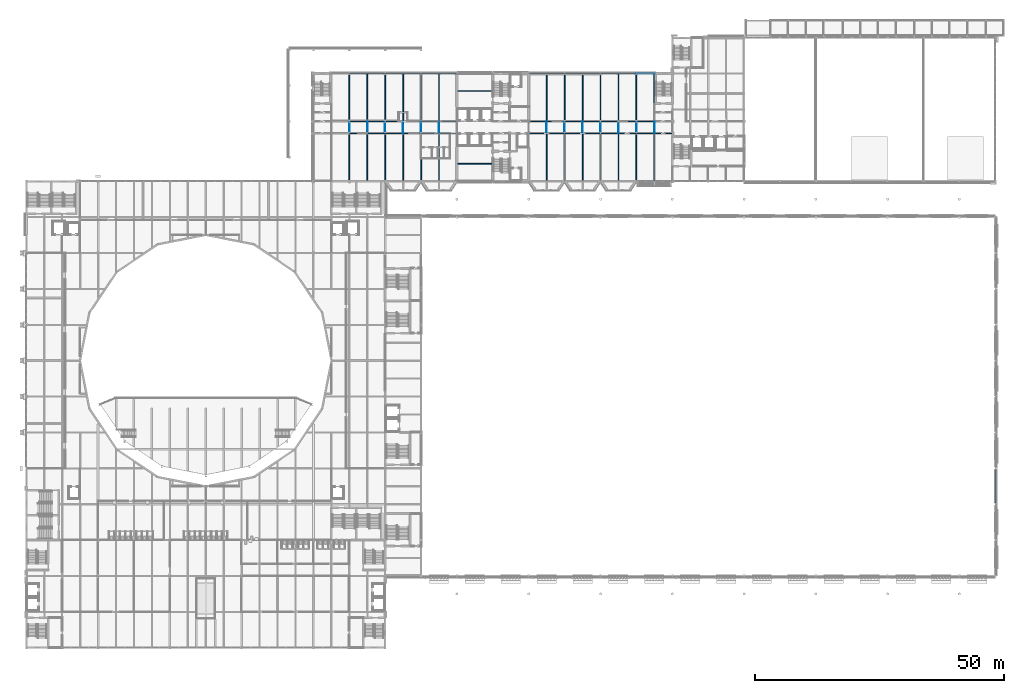
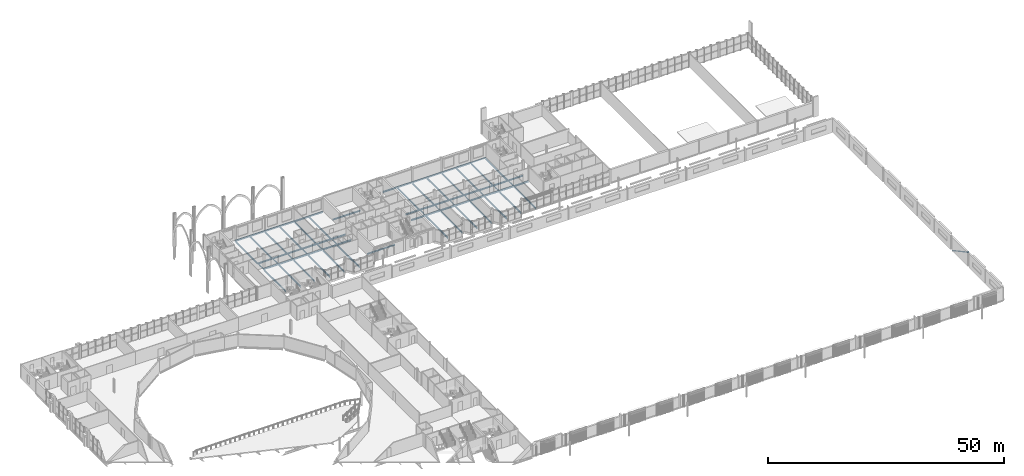
# One storey, part 48 of 124: 62 beams, 1 member.
"""IFC4 building model written with IfcOpenShell, lengths in metres."""

from ifc_helpers import new_model, si_unit, direction, frame, origin, origin_2d, place, context, subcontext, project, spatial, hollow_circle, i_section, extrude, material, material_profile, profile_set, type_object, element, save


model = new_model("IFC4")

# Units and contexts
model_context = context("Model", 3, precision=1e-05, world=origin(), true_north=direction((0.0, 1.0)))
body_context = subcontext(model_context, "Body", "Model", "MODEL_VIEW")
ifc_project = project(units=[si_unit("LENGTHUNIT", "METRE"), si_unit("AREAUNIT", "SQUARE_METRE"), si_unit("VOLUMEUNIT", "CUBIC_METRE"), si_unit("PLANEANGLEUNIT", "RADIAN"), si_unit("MASSUNIT", "GRAM", prefix="KILO")], contexts=[model_context])

# Site, building, storey
site_placement = place(None, origin())
site = spatial("IfcSite", under=ifc_project, at=site_placement, CompositionType="ELEMENT")
building_placement = place(site_placement, origin())
building = spatial("IfcBuilding", under=site, at=building_placement, Name="Kupolbacken Congress Centre", CompositionType="ELEMENT")
storey_placement = place(building_placement, frame((0.0, 0.0, 10.800048828125)))
storey = spatial("IfcBuildingStorey", under=building, at=storey_placement, Name="L03", CompositionType="ELEMENT", Elevation=10.800048828125)

# Beams
ifc_material_1 = material(Name="Steel S355", Category="steel")
ifc_material_profile_1 = material_profile(ifc_material_1, i_section(OverallWidth=0.10009765625, OverallDepth=0.199951171875, WebThickness=0.005615234375, FlangeThickness=0.008544921875, FilletRadius=0.011962890625, at=origin_2d()), Name="IPE 200")
ifc_profile_set_1 = profile_set([ifc_material_profile_1], Name="Steel S355")
beam_type_1 = type_object("IfcBeamType", Name="B01 beam IPE 200", PredefinedType="BEAM", material=ifc_profile_set_1)
beam_1_placement = place(storey_placement, frame((129.610595703125, 144.0, -0.280029296875), z_axis=(1.0, 0.0, 0.0), x_axis=(0.0, 1.0, 0.0)))
element("IfcBeam", 1, at=beam_1_placement, inside=storey, type_object=beam_type_1, Name="S/floor/T/L03/R030", PredefinedType="BEAM", context=body_context, shape_type="SweptSolid", body=[
    extrude(i_section(OverallWidth=0.10009765625, OverallDepth=0.199951171875, WebThickness=0.005615234375, FlangeThickness=0.008544921875, FilletRadius=0.011962890625, at=origin_2d()), origin(), (0.0, 0.0, 1.0), 3.639404296875),
])
beam_2_placement = place(storey_placement, frame((72.0, 132.21240234375, -0.280029296875), z_axis=(0.0, 1.0, 0.0), x_axis=(-1.0, 0.0, 0.0)))
element("IfcBeam", 2, at=beam_2_placement, inside=storey, type_object=beam_type_1, Name="S/floor/T/L03/S038", PredefinedType="BEAM", context=body_context, shape_type="SweptSolid", body=[
    extrude(i_section(OverallWidth=0.10009765625, OverallDepth=0.199951171875, WebThickness=0.005615234375, FlangeThickness=0.008544921875, FilletRadius=0.011962890625, at=origin_2d()), origin(), (0.0, 0.0, 1.0), 1.97509765625),
])
beam_3_placement = place(storey_placement, frame((75.60009765625, 132.074951171875, -0.280029296875), z_axis=(0.0, 1.0, 0.0), x_axis=(-1.0, 0.0, 0.0)))
element("IfcBeam", 3, at=beam_3_placement, inside=storey, type_object=beam_type_1, Name="S/floor/T/L03/S041", PredefinedType="BEAM", context=body_context, shape_type="SweptSolid", body=[
    extrude(i_section(OverallWidth=0.10009765625, OverallDepth=0.199951171875, WebThickness=0.005615234375, FlangeThickness=0.008544921875, FilletRadius=0.011962890625, at=origin_2d()), origin(), (0.0, 0.0, 1.0), 2.25),
])
beam_4_placement = place(storey_placement, frame((79.199951171875, 132.21240234375, -0.280029296875), z_axis=(0.0, 1.0, 0.0), x_axis=(-1.0, 0.0, 0.0)))
element("IfcBeam", 4, at=beam_4_placement, inside=storey, type_object=beam_type_1, Name="S/floor/T/L03/S044", PredefinedType="BEAM", context=body_context, shape_type="SweptSolid", body=[
    extrude(i_section(OverallWidth=0.10009765625, OverallDepth=0.199951171875, WebThickness=0.005615234375, FlangeThickness=0.008544921875, FilletRadius=0.011962890625, at=origin_2d()), origin(), (0.0, 0.0, 1.0), 1.97509765625),
])
beam_5_placement = place(storey_placement, frame((82.800048828125, 132.074951171875, -0.280029296875), z_axis=(0.0, 1.0, 0.0), x_axis=(-1.0, 0.0, 0.0)))
element("IfcBeam", 5, at=beam_5_placement, inside=storey, type_object=beam_type_1, Name="S/floor/T/L03/S047", PredefinedType="BEAM", context=body_context, shape_type="SweptSolid", body=[
    extrude(i_section(OverallWidth=0.10009765625, OverallDepth=0.199951171875, WebThickness=0.005615234375, FlangeThickness=0.008544921875, FilletRadius=0.011962890625, at=origin_2d()), origin(), (0.0, 0.0, 1.0), 2.25),
])
beam_6_placement = place(storey_placement, frame((86.39990234375, 132.21240234375, -0.280029296875), z_axis=(0.0, 1.0, 0.0), x_axis=(-1.0, 0.0, 0.0)))
element("IfcBeam", 6, at=beam_6_placement, inside=storey, type_object=beam_type_1, Name="S/floor/T/L03/S050", PredefinedType="BEAM", context=body_context, shape_type="SweptSolid", body=[
    extrude(i_section(OverallWidth=0.10009765625, OverallDepth=0.199951171875, WebThickness=0.005615234375, FlangeThickness=0.008544921875, FilletRadius=0.011962890625, at=origin_2d()), origin(), (0.0, 0.0, 1.0), 1.97509765625),
])
for number, where, z_axis, x_axis, name in (
    (7, (90.0, 132.074951171875, -0.280029296875), (0.0, 1.0, 0.0), (-1.0, 0.0, 0.0), "S/floor/T/L03/S053"),
    (8, (111.60009765625, 132.074951171875, -0.280029296875), (0.0, 1.0, 0.0), (-1.0, 0.0, 0.0), "S/floor/T/L03/S056"),
):
    element("IfcBeam", number, at=place(storey_placement, frame(where, z_axis=z_axis, x_axis=x_axis)), inside=storey, type_object=beam_type_1, Name=name, PredefinedType="BEAM", context=body_context, shape_type="SweptSolid", body=[
        extrude(i_section(OverallWidth=0.10009765625, OverallDepth=0.199951171875, WebThickness=0.005615234375, FlangeThickness=0.008544921875, FilletRadius=0.011962890625, at=origin_2d()), origin(), (0.0, 0.0, 1.0), 2.25),
    ])
beam_7_placement = place(storey_placement, frame((115.199951171875, 132.21240234375, -0.280029296875), z_axis=(0.0, 1.0, 0.0), x_axis=(-1.0, 0.0, 0.0)))
element("IfcBeam", 9, at=beam_7_placement, inside=storey, type_object=beam_type_1, Name="S/floor/T/L03/S059", PredefinedType="BEAM", context=body_context, shape_type="SweptSolid", body=[
    extrude(i_section(OverallWidth=0.10009765625, OverallDepth=0.199951171875, WebThickness=0.005615234375, FlangeThickness=0.008544921875, FilletRadius=0.011962890625, at=origin_2d()), origin(), (0.0, 0.0, 1.0), 1.97509765625),
])
beam_8_placement = place(storey_placement, frame((118.800048828125, 132.074951171875, -0.280029296875), z_axis=(0.0, 1.0, 0.0), x_axis=(-1.0, 0.0, 0.0)))
element("IfcBeam", 10, at=beam_8_placement, inside=storey, type_object=beam_type_1, Name="S/floor/T/L03/S062", PredefinedType="BEAM", context=body_context, shape_type="SweptSolid", body=[
    extrude(i_section(OverallWidth=0.10009765625, OverallDepth=0.199951171875, WebThickness=0.005615234375, FlangeThickness=0.008544921875, FilletRadius=0.011962890625, at=origin_2d()), origin(), (0.0, 0.0, 1.0), 2.25),
])
beam_9_placement = place(storey_placement, frame((122.39990234375, 132.21240234375, -0.280029296875), z_axis=(0.0, 1.0, 0.0), x_axis=(-1.0, 0.0, 0.0)))
element("IfcBeam", 11, at=beam_9_placement, inside=storey, type_object=beam_type_1, Name="S/floor/T/L03/S065", PredefinedType="BEAM", context=body_context, shape_type="SweptSolid", body=[
    extrude(i_section(OverallWidth=0.10009765625, OverallDepth=0.199951171875, WebThickness=0.005615234375, FlangeThickness=0.008544921875, FilletRadius=0.011962890625, at=origin_2d()), origin(), (0.0, 0.0, 1.0), 1.97509765625),
])
beam_10_placement = place(storey_placement, frame((126.0, 132.074951171875, -0.280029296875), z_axis=(0.0, 1.0, 0.0), x_axis=(-1.0, 0.0, 0.0)))
element("IfcBeam", 12, at=beam_10_placement, inside=storey, type_object=beam_type_1, Name="S/floor/T/L03/S068", PredefinedType="BEAM", context=body_context, shape_type="SweptSolid", body=[
    extrude(i_section(OverallWidth=0.10009765625, OverallDepth=0.199951171875, WebThickness=0.005615234375, FlangeThickness=0.008544921875, FilletRadius=0.011962890625, at=origin_2d()), origin(), (0.0, 0.0, 1.0), 2.25),
])
beam_11_placement = place(storey_placement, frame((129.60009765625, 132.21240234375, -0.280029296875), z_axis=(0.0, 1.0, 0.0), x_axis=(-1.0, 0.0, 0.0)))
element("IfcBeam", 13, at=beam_11_placement, inside=storey, type_object=beam_type_1, Name="S/floor/T/L03/S071", PredefinedType="BEAM", context=body_context, shape_type="SweptSolid", body=[
    extrude(i_section(OverallWidth=0.10009765625, OverallDepth=0.199951171875, WebThickness=0.005615234375, FlangeThickness=0.008544921875, FilletRadius=0.011962890625, at=origin_2d()), origin(), (0.0, 0.0, 1.0), 1.97509765625),
])
beam_12_placement = place(storey_placement, frame((133.199951171875, 132.074951171875, -0.280029296875), z_axis=(0.0, 1.0, 0.0), x_axis=(-1.0, 0.0, 0.0)))
element("IfcBeam", 14, at=beam_12_placement, inside=storey, type_object=beam_type_1, Name="S/floor/T/L03/S074", PredefinedType="BEAM", context=body_context, shape_type="SweptSolid", body=[
    extrude(i_section(OverallWidth=0.10009765625, OverallDepth=0.199951171875, WebThickness=0.005615234375, FlangeThickness=0.008544921875, FilletRadius=0.011962890625, at=origin_2d()), origin(), (0.0, 0.0, 1.0), 2.25),
])
ifc_material_2 = material(Name="Steel S355", Category="steel")
ifc_material_profile_2 = material_profile(ifc_material_2, i_section(OverallWidth=0.14990234375, OverallDepth=0.300048828125, WebThickness=0.007080078125, FlangeThickness=0.0107421875, FilletRadius=0.014892578125, at=origin_2d()), Name="IPE 300")
ifc_profile_set_2 = profile_set([ifc_material_profile_2], Name="Steel S355")
beam_type_2 = type_object("IfcBeamType", Name="B04 beam IPE 300", PredefinedType="BEAM", material=ifc_profile_set_2)
for number, where, z_axis, x_axis, name in (
    (15, (72.016357421875, 132.0, -0.330078125), (1.0, 0.0, 0.0), (0.0, 1.0, 0.0), "S/floor/T/L03/R008"),
    (16, (79.21630859375, 132.0, -0.330078125), (1.0, 0.0, 0.0), (0.0, 1.0, 0.0), "S/floor/T/L03/R009"),
):
    element("IfcBeam", number, at=place(storey_placement, frame(where, z_axis=z_axis, x_axis=x_axis)), inside=storey, type_object=beam_type_2, Name=name, PredefinedType="BEAM", context=body_context, shape_type="SweptSolid", body=[
        extrude(i_section(OverallWidth=0.14990234375, OverallDepth=0.300048828125, WebThickness=0.007080078125, FlangeThickness=0.0107421875, FilletRadius=0.014892578125, at=origin_2d()), origin(), (0.0, 0.0, 1.0), 7.167236328125),
    ])
beam_13_placement = place(storey_placement, frame((86.41650390625, 132.0, -0.330078125), z_axis=(1.0, 0.0, 0.0), x_axis=(0.0, 1.0, 0.0)))
element("IfcBeam", 17, at=beam_13_placement, inside=storey, type_object=beam_type_2, Name="S/floor/T/L03/R010", PredefinedType="BEAM", context=body_context, shape_type="SweptSolid", body=[
    extrude(i_section(OverallWidth=0.14990234375, OverallDepth=0.300048828125, WebThickness=0.007080078125, FlangeThickness=0.0107421875, FilletRadius=0.014892578125, at=origin_2d()), origin(), (0.0, 0.0, 1.0), 6.9833984375),
])
beam_14_placement = place(storey_placement, frame((108.199951171875, 132.0, -0.330078125), z_axis=(1.0, 0.0, 0.0), x_axis=(0.0, 1.0, 0.0)))
element("IfcBeam", 18, at=beam_14_placement, inside=storey, type_object=beam_type_2, Name="S/floor/T/L03/R011", PredefinedType="BEAM", context=body_context, shape_type="SweptSolid", body=[
    extrude(i_section(OverallWidth=0.14990234375, OverallDepth=0.300048828125, WebThickness=0.007080078125, FlangeThickness=0.0107421875, FilletRadius=0.014892578125, at=origin_2d()), origin(), (0.0, 0.0, 1.0), 6.983642578125),
])
beam_15_placement = place(storey_placement, frame((115.21630859375, 132.0, -0.330078125), z_axis=(1.0, 0.0, 0.0), x_axis=(0.0, 1.0, 0.0)))
element("IfcBeam", 19, at=beam_15_placement, inside=storey, type_object=beam_type_2, Name="S/floor/T/L03/R012", PredefinedType="BEAM", context=body_context, shape_type="SweptSolid", body=[
    extrude(i_section(OverallWidth=0.14990234375, OverallDepth=0.300048828125, WebThickness=0.007080078125, FlangeThickness=0.0107421875, FilletRadius=0.014892578125, at=origin_2d()), origin(), (0.0, 0.0, 1.0), 7.167236328125),
])
beam_16_placement = place(storey_placement, frame((122.41650390625, 132.0, -0.330078125), z_axis=(1.0, 0.0, 0.0), x_axis=(0.0, 1.0, 0.0)))
element("IfcBeam", 20, at=beam_16_placement, inside=storey, type_object=beam_type_2, Name="S/floor/T/L03/R013", PredefinedType="BEAM", context=body_context, shape_type="SweptSolid", body=[
    extrude(i_section(OverallWidth=0.14990234375, OverallDepth=0.300048828125, WebThickness=0.007080078125, FlangeThickness=0.0107421875, FilletRadius=0.014892578125, at=origin_2d()), origin(), (0.0, 0.0, 1.0), 7.1669921875),
])
beam_17_placement = place(storey_placement, frame((129.616455078125, 132.0, -0.330078125), z_axis=(1.0, 0.0, 0.0), x_axis=(0.0, 1.0, 0.0)))
element("IfcBeam", 21, at=beam_17_placement, inside=storey, type_object=beam_type_2, Name="S/floor/T/L03/R014", PredefinedType="BEAM", context=body_context, shape_type="SweptSolid", body=[
    extrude(i_section(OverallWidth=0.14990234375, OverallDepth=0.300048828125, WebThickness=0.007080078125, FlangeThickness=0.0107421875, FilletRadius=0.014892578125, at=origin_2d()), origin(), (0.0, 0.0, 1.0), 7.176513671875),
])
for number, where, z_axis, x_axis, name in (
    (22, (72.016357421875, 134.39990234375, -0.330078125), (1.0, 0.0, 0.0), (0.0, 1.0, 0.0), "S/floor/T/L03/R016"),
    (23, (79.21630859375, 134.39990234375, -0.330078125), (1.0, 0.0, 0.0), (0.0, 1.0, 0.0), "S/floor/T/L03/R017"),
):
    element("IfcBeam", number, at=place(storey_placement, frame(where, z_axis=z_axis, x_axis=x_axis)), inside=storey, type_object=beam_type_2, Name=name, PredefinedType="BEAM", context=body_context, shape_type="SweptSolid", body=[
        extrude(i_section(OverallWidth=0.14990234375, OverallDepth=0.300048828125, WebThickness=0.007080078125, FlangeThickness=0.0107421875, FilletRadius=0.014892578125, at=origin_2d()), origin(), (0.0, 0.0, 1.0), 7.167236328125),
    ])
beam_18_placement = place(storey_placement, frame((86.41650390625, 134.39990234375, -0.330078125), z_axis=(1.0, 0.0, 0.0), x_axis=(0.0, 1.0, 0.0)))
element("IfcBeam", 24, at=beam_18_placement, inside=storey, type_object=beam_type_2, Name="S/floor/T/L03/R018", PredefinedType="BEAM", context=body_context, shape_type="SweptSolid", body=[
    extrude(i_section(OverallWidth=0.14990234375, OverallDepth=0.300048828125, WebThickness=0.007080078125, FlangeThickness=0.0107421875, FilletRadius=0.014892578125, at=origin_2d()), origin(), (0.0, 0.0, 1.0), 6.9833984375),
])
beam_19_placement = place(storey_placement, frame((108.199951171875, 134.39990234375, -0.330078125), z_axis=(1.0, 0.0, 0.0), x_axis=(0.0, 1.0, 0.0)))
element("IfcBeam", 25, at=beam_19_placement, inside=storey, type_object=beam_type_2, Name="S/floor/T/L03/R019", PredefinedType="BEAM", context=body_context, shape_type="SweptSolid", body=[
    extrude(i_section(OverallWidth=0.14990234375, OverallDepth=0.300048828125, WebThickness=0.007080078125, FlangeThickness=0.0107421875, FilletRadius=0.014892578125, at=origin_2d()), origin(), (0.0, 0.0, 1.0), 6.983642578125),
])
beam_20_placement = place(storey_placement, frame((115.21630859375, 134.39990234375, -0.330078125), z_axis=(1.0, 0.0, 0.0), x_axis=(0.0, 1.0, 0.0)))
element("IfcBeam", 26, at=beam_20_placement, inside=storey, type_object=beam_type_2, Name="S/floor/T/L03/R020", PredefinedType="BEAM", context=body_context, shape_type="SweptSolid", body=[
    extrude(i_section(OverallWidth=0.14990234375, OverallDepth=0.300048828125, WebThickness=0.007080078125, FlangeThickness=0.0107421875, FilletRadius=0.014892578125, at=origin_2d()), origin(), (0.0, 0.0, 1.0), 7.167236328125),
])
beam_21_placement = place(storey_placement, frame((122.41650390625, 134.39990234375, -0.330078125), z_axis=(1.0, 0.0, 0.0), x_axis=(0.0, 1.0, 0.0)))
element("IfcBeam", 27, at=beam_21_placement, inside=storey, type_object=beam_type_2, Name="S/floor/T/L03/R021", PredefinedType="BEAM", context=body_context, shape_type="SweptSolid", body=[
    extrude(i_section(OverallWidth=0.14990234375, OverallDepth=0.300048828125, WebThickness=0.007080078125, FlangeThickness=0.0107421875, FilletRadius=0.014892578125, at=origin_2d()), origin(), (0.0, 0.0, 1.0), 7.1669921875),
])
beam_22_placement = place(storey_placement, frame((129.616455078125, 134.39990234375, -0.330078125), z_axis=(1.0, 0.0, 0.0), x_axis=(0.0, 1.0, 0.0)))
element("IfcBeam", 28, at=beam_22_placement, inside=storey, type_object=beam_type_2, Name="S/floor/T/L03/R022", PredefinedType="BEAM", context=body_context, shape_type="SweptSolid", body=[
    extrude(i_section(OverallWidth=0.14990234375, OverallDepth=0.300048828125, WebThickness=0.007080078125, FlangeThickness=0.0107421875, FilletRadius=0.014892578125, at=origin_2d()), origin(), (0.0, 0.0, 1.0), 7.176513671875),
])
for number, where, z_axis, x_axis, name in (
    (29, (72.010498046875, 144.0, -0.330078125), (1.0, 0.0, 0.0), (0.0, 1.0, 0.0), "S/floor/T/L03/R024"),
    (30, (79.21044921875, 144.0, -0.330078125), (1.0, 0.0, 0.0), (0.0, 1.0, 0.0), "S/floor/T/L03/R025"),
):
    element("IfcBeam", number, at=place(storey_placement, frame(where, z_axis=z_axis, x_axis=x_axis)), inside=storey, type_object=beam_type_2, Name=name, PredefinedType="BEAM", context=body_context, shape_type="SweptSolid", body=[
        extrude(i_section(OverallWidth=0.14990234375, OverallDepth=0.300048828125, WebThickness=0.007080078125, FlangeThickness=0.0107421875, FilletRadius=0.014892578125, at=origin_2d()), origin(), (0.0, 0.0, 1.0), 7.178955078125),
    ])
for number, where, z_axis, x_axis, name in (
    (31, (86.410400390625, 144.0, -0.330078125), (1.0, 0.0, 0.0), (0.0, 1.0, 0.0), "S/floor/T/L03/R026"),
    (32, (108.199951171875, 144.0, -0.330078125), (1.0, 0.0, 0.0), (0.0, 1.0, 0.0), "S/floor/T/L03/R027"),
):
    element("IfcBeam", number, at=place(storey_placement, frame(where, z_axis=z_axis, x_axis=x_axis)), inside=storey, type_object=beam_type_2, Name=name, PredefinedType="BEAM", context=body_context, shape_type="SweptSolid", body=[
        extrude(i_section(OverallWidth=0.14990234375, OverallDepth=0.300048828125, WebThickness=0.007080078125, FlangeThickness=0.0107421875, FilletRadius=0.014892578125, at=origin_2d()), origin(), (0.0, 0.0, 1.0), 6.989501953125),
    ])
beam_23_placement = place(storey_placement, frame((115.21044921875, 144.0, -0.330078125), z_axis=(1.0, 0.0, 0.0), x_axis=(0.0, 1.0, 0.0)))
element("IfcBeam", 33, at=beam_23_placement, inside=storey, type_object=beam_type_2, Name="S/floor/T/L03/R028", PredefinedType="BEAM", context=body_context, shape_type="SweptSolid", body=[
    extrude(i_section(OverallWidth=0.14990234375, OverallDepth=0.300048828125, WebThickness=0.007080078125, FlangeThickness=0.0107421875, FilletRadius=0.014892578125, at=origin_2d()), origin(), (0.0, 0.0, 1.0), 7.178955078125),
])
beam_24_placement = place(storey_placement, frame((122.410400390625, 144.0, -0.330078125), z_axis=(1.0, 0.0, 0.0), x_axis=(0.0, 1.0, 0.0)))
element("IfcBeam", 34, at=beam_24_placement, inside=storey, type_object=beam_type_2, Name="S/floor/T/L03/R029", PredefinedType="BEAM", context=body_context, shape_type="SweptSolid", body=[
    extrude(i_section(OverallWidth=0.14990234375, OverallDepth=0.300048828125, WebThickness=0.007080078125, FlangeThickness=0.0107421875, FilletRadius=0.014892578125, at=origin_2d()), origin(), (0.0, 0.0, 1.0), 7.17919921875),
])
ifc_material_3 = material(Name="Steel S355", Category="steel")
ifc_material_profile_3 = material_profile(ifc_material_3, i_section(OverallWidth=0.169921875, OverallDepth=0.360107421875, WebThickness=0.008056640625, FlangeThickness=0.0126953125, FilletRadius=0.01806640625, at=origin_2d()), Name="IPE 360")
ifc_profile_set_3 = profile_set([ifc_material_profile_3], Name="Steel S355")
beam_type_3 = type_object("IfcBeamType", Name="B06 beam IPE 360", PredefinedType="BEAM", material=ifc_profile_set_3)
for number, where, z_axis, x_axis, name in (
    (35, (93.800048828125, 125.89990234375, -0.360107421875), (1.0, 0.0, 0.0), (0.0, 1.0, 0.0), "S/floor/T/L03/RB125"),
    (36, (93.800048828125, 140.5, -0.360107421875), (1.0, 0.0, 0.0), (0.0, 1.0, 0.0), "S/floor/T/L03/RB140"),
):
    element("IfcBeam", number, at=place(storey_placement, frame(where, z_axis=z_axis, x_axis=x_axis)), inside=storey, type_object=beam_type_3, Name=name, PredefinedType="BEAM", context=body_context, shape_type="SweptSolid", body=[
        extrude(i_section(OverallWidth=0.169921875, OverallDepth=0.360107421875, WebThickness=0.008056640625, FlangeThickness=0.0126953125, FilletRadius=0.01806640625, at=origin_2d()), origin(), (0.0, 0.0, 1.0), 6.824951171875),
    ])
ifc_material_4 = material(Name="Steel S355", Category="steel")
ifc_material_profile_4 = material_profile(ifc_material_4, i_section(OverallWidth=0.179931640625, OverallDepth=0.39990234375, WebThickness=0.008544921875, FlangeThickness=0.013427734375, FilletRadius=0.02099609375, at=origin_2d()), Name="IPE 400")
ifc_profile_set_4 = profile_set([ifc_material_profile_4], Name="Steel S355")
beam_type_4 = type_object("IfcBeamType", Name="B07 beam IPE 400", PredefinedType="BEAM", material=ifc_profile_set_4)
beam_25_placement = place(storey_placement, frame((72.0, 122.52490234375, -0.380126953125), z_axis=(0.0, 1.0, 0.0), x_axis=(-1.0, 0.0, 0.0)))
element("IfcBeam", 37, at=beam_25_placement, inside=storey, type_object=beam_type_4, Name="S/floor/T/L03/S037", PredefinedType="BEAM", context=body_context, shape_type="SweptSolid", body=[
    extrude(i_section(OverallWidth=0.179931640625, OverallDepth=0.39990234375, WebThickness=0.008544921875, FlangeThickness=0.013427734375, FilletRadius=0.02099609375, at=origin_2d()), origin(), (0.0, 0.0, 1.0), 9.2626953125),
])
beam_26_placement = place(storey_placement, frame((72.0, 134.612548828125, -0.380126953125), z_axis=(0.0, 1.0, 0.0), x_axis=(-1.0, 0.0, 0.0)))
element("IfcBeam", 38, at=beam_26_placement, inside=storey, type_object=beam_type_4, Name="S/floor/T/L03/S039", PredefinedType="BEAM", context=body_context, shape_type="SweptSolid", body=[
    extrude(i_section(OverallWidth=0.179931640625, OverallDepth=0.39990234375, WebThickness=0.008544921875, FlangeThickness=0.013427734375, FilletRadius=0.02099609375, at=origin_2d()), origin(), (0.0, 0.0, 1.0), 9.17138671875),
])
beam_27_placement = place(storey_placement, frame((75.60009765625, 122.52490234375, -0.380126953125), z_axis=(0.0, 1.0, 0.0), x_axis=(-1.0, 0.0, 0.0)))
element("IfcBeam", 39, at=beam_27_placement, inside=storey, type_object=beam_type_4, Name="S/floor/T/L03/S040", PredefinedType="BEAM", context=body_context, shape_type="SweptSolid", body=[
    extrude(i_section(OverallWidth=0.179931640625, OverallDepth=0.39990234375, WebThickness=0.008544921875, FlangeThickness=0.013427734375, FilletRadius=0.02099609375, at=origin_2d()), origin(), (0.0, 0.0, 1.0), 9.400146484375),
])
beam_28_placement = place(storey_placement, frame((75.60009765625, 134.47509765625, -0.380126953125), z_axis=(0.0, 1.0, 0.0), x_axis=(-1.0, 0.0, 0.0)))
element("IfcBeam", 40, at=beam_28_placement, inside=storey, type_object=beam_type_4, Name="S/floor/T/L03/S042", PredefinedType="BEAM", context=body_context, shape_type="SweptSolid", body=[
    extrude(i_section(OverallWidth=0.179931640625, OverallDepth=0.39990234375, WebThickness=0.008544921875, FlangeThickness=0.013427734375, FilletRadius=0.02099609375, at=origin_2d()), origin(), (0.0, 0.0, 1.0), 9.449951171875),
])
beam_29_placement = place(storey_placement, frame((79.199951171875, 122.615966796875, -0.380126953125), z_axis=(0.0, 1.0, 0.0), x_axis=(-1.0, 0.0, 0.0)))
element("IfcBeam", 41, at=beam_29_placement, inside=storey, type_object=beam_type_4, Name="S/floor/T/L03/S043", PredefinedType="BEAM", context=body_context, shape_type="SweptSolid", body=[
    extrude(i_section(OverallWidth=0.179931640625, OverallDepth=0.39990234375, WebThickness=0.008544921875, FlangeThickness=0.013427734375, FilletRadius=0.02099609375, at=origin_2d()), origin(), (0.0, 0.0, 1.0), 9.171630859375),
])
beam_30_placement = place(storey_placement, frame((79.199951171875, 134.612548828125, -0.380126953125), z_axis=(0.0, 1.0, 0.0), x_axis=(-1.0, 0.0, 0.0)))
element("IfcBeam", 42, at=beam_30_placement, inside=storey, type_object=beam_type_4, Name="S/floor/T/L03/S045", PredefinedType="BEAM", context=body_context, shape_type="SweptSolid", body=[
    extrude(i_section(OverallWidth=0.179931640625, OverallDepth=0.39990234375, WebThickness=0.008544921875, FlangeThickness=0.013427734375, FilletRadius=0.02099609375, at=origin_2d()), origin(), (0.0, 0.0, 1.0), 9.17138671875),
])
for number, where, z_axis, x_axis, name in (
    (43, (82.800048828125, 122.47509765625, -0.380126953125), (0.0, 1.0, 0.0), (-1.0, 0.0, 0.0), "S/floor/T/L03/S046"),
    (44, (82.800048828125, 134.47509765625, -0.380126953125), (0.0, 1.0, 0.0), (-1.0, 0.0, 0.0), "S/floor/T/L03/S048"),
):
    element("IfcBeam", number, at=place(storey_placement, frame(where, z_axis=z_axis, x_axis=x_axis)), inside=storey, type_object=beam_type_4, Name=name, PredefinedType="BEAM", context=body_context, shape_type="SweptSolid", body=[
        extrude(i_section(OverallWidth=0.179931640625, OverallDepth=0.39990234375, WebThickness=0.008544921875, FlangeThickness=0.013427734375, FilletRadius=0.02099609375, at=origin_2d()), origin(), (0.0, 0.0, 1.0), 9.449951171875),
    ])
beam_31_placement = place(storey_placement, frame((86.39990234375, 122.615966796875, -0.380126953125), z_axis=(0.0, 1.0, 0.0), x_axis=(-1.0, 0.0, 0.0)))
element("IfcBeam", 45, at=beam_31_placement, inside=storey, type_object=beam_type_4, Name="S/floor/T/L03/S049", PredefinedType="BEAM", context=body_context, shape_type="SweptSolid", body=[
    extrude(i_section(OverallWidth=0.179931640625, OverallDepth=0.39990234375, WebThickness=0.008544921875, FlangeThickness=0.013427734375, FilletRadius=0.02099609375, at=origin_2d()), origin(), (0.0, 0.0, 1.0), 9.171630859375),
])
beam_32_placement = place(storey_placement, frame((86.39990234375, 134.612548828125, -0.380126953125), z_axis=(0.0, 1.0, 0.0), x_axis=(-1.0, 0.0, 0.0)))
element("IfcBeam", 46, at=beam_32_placement, inside=storey, type_object=beam_type_4, Name="S/floor/T/L03/S051", PredefinedType="BEAM", context=body_context, shape_type="SweptSolid", body=[
    extrude(i_section(OverallWidth=0.179931640625, OverallDepth=0.39990234375, WebThickness=0.008544921875, FlangeThickness=0.013427734375, FilletRadius=0.02099609375, at=origin_2d()), origin(), (0.0, 0.0, 1.0), 9.17138671875),
])
for number, where, z_axis, x_axis, name in (
    (47, (90.0, 122.47509765625, -0.380126953125), (0.0, 1.0, 0.0), (-1.0, 0.0, 0.0), "S/floor/T/L03/S052"),
    (48, (90.0, 134.47509765625, -0.380126953125), (0.0, 1.0, 0.0), (-1.0, 0.0, 0.0), "S/floor/T/L03/S054"),
    (49, (111.60009765625, 122.47509765625, -0.380126953125), (0.0, 1.0, 0.0), (-1.0, 0.0, 0.0), "S/floor/T/L03/S055"),
    (50, (111.60009765625, 134.47509765625, -0.380126953125), (0.0, 1.0, 0.0), (-1.0, 0.0, 0.0), "S/floor/T/L03/S057"),
):
    element("IfcBeam", number, at=place(storey_placement, frame(where, z_axis=z_axis, x_axis=x_axis)), inside=storey, type_object=beam_type_4, Name=name, PredefinedType="BEAM", context=body_context, shape_type="SweptSolid", body=[
        extrude(i_section(OverallWidth=0.179931640625, OverallDepth=0.39990234375, WebThickness=0.008544921875, FlangeThickness=0.013427734375, FilletRadius=0.02099609375, at=origin_2d()), origin(), (0.0, 0.0, 1.0), 9.449951171875),
    ])
beam_33_placement = place(storey_placement, frame((115.199951171875, 122.615966796875, -0.380126953125), z_axis=(0.0, 1.0, 0.0), x_axis=(-1.0, 0.0, 0.0)))
element("IfcBeam", 51, at=beam_33_placement, inside=storey, type_object=beam_type_4, Name="S/floor/T/L03/S058", PredefinedType="BEAM", context=body_context, shape_type="SweptSolid", body=[
    extrude(i_section(OverallWidth=0.179931640625, OverallDepth=0.39990234375, WebThickness=0.008544921875, FlangeThickness=0.013427734375, FilletRadius=0.02099609375, at=origin_2d()), origin(), (0.0, 0.0, 1.0), 9.171630859375),
])
beam_34_placement = place(storey_placement, frame((115.199951171875, 134.612548828125, -0.380126953125), z_axis=(0.0, 1.0, 0.0), x_axis=(-1.0, 0.0, 0.0)))
element("IfcBeam", 52, at=beam_34_placement, inside=storey, type_object=beam_type_4, Name="S/floor/T/L03/S060", PredefinedType="BEAM", context=body_context, shape_type="SweptSolid", body=[
    extrude(i_section(OverallWidth=0.179931640625, OverallDepth=0.39990234375, WebThickness=0.008544921875, FlangeThickness=0.013427734375, FilletRadius=0.02099609375, at=origin_2d()), origin(), (0.0, 0.0, 1.0), 9.17138671875),
])
for number, where, z_axis, x_axis, name in (
    (53, (118.800048828125, 122.47509765625, -0.380126953125), (0.0, 1.0, 0.0), (-1.0, 0.0, 0.0), "S/floor/T/L03/S061"),
    (54, (118.800048828125, 134.47509765625, -0.380126953125), (0.0, 1.0, 0.0), (-1.0, 0.0, 0.0), "S/floor/T/L03/S063"),
):
    element("IfcBeam", number, at=place(storey_placement, frame(where, z_axis=z_axis, x_axis=x_axis)), inside=storey, type_object=beam_type_4, Name=name, PredefinedType="BEAM", context=body_context, shape_type="SweptSolid", body=[
        extrude(i_section(OverallWidth=0.179931640625, OverallDepth=0.39990234375, WebThickness=0.008544921875, FlangeThickness=0.013427734375, FilletRadius=0.02099609375, at=origin_2d()), origin(), (0.0, 0.0, 1.0), 9.449951171875),
    ])
beam_35_placement = place(storey_placement, frame((122.39990234375, 122.615966796875, -0.380126953125), z_axis=(0.0, 1.0, 0.0), x_axis=(-1.0, 0.0, 0.0)))
element("IfcBeam", 55, at=beam_35_placement, inside=storey, type_object=beam_type_4, Name="S/floor/T/L03/S064", PredefinedType="BEAM", context=body_context, shape_type="SweptSolid", body=[
    extrude(i_section(OverallWidth=0.179931640625, OverallDepth=0.39990234375, WebThickness=0.008544921875, FlangeThickness=0.013427734375, FilletRadius=0.02099609375, at=origin_2d()), origin(), (0.0, 0.0, 1.0), 9.171630859375),
])
beam_36_placement = place(storey_placement, frame((122.39990234375, 134.612548828125, -0.380126953125), z_axis=(0.0, 1.0, 0.0), x_axis=(-1.0, 0.0, 0.0)))
element("IfcBeam", 56, at=beam_36_placement, inside=storey, type_object=beam_type_4, Name="S/floor/T/L03/S066", PredefinedType="BEAM", context=body_context, shape_type="SweptSolid", body=[
    extrude(i_section(OverallWidth=0.179931640625, OverallDepth=0.39990234375, WebThickness=0.008544921875, FlangeThickness=0.013427734375, FilletRadius=0.02099609375, at=origin_2d()), origin(), (0.0, 0.0, 1.0), 9.17138671875),
])
for number, where, z_axis, x_axis, name in (
    (57, (126.0, 122.47509765625, -0.380126953125), (0.0, 1.0, 0.0), (-1.0, 0.0, 0.0), "S/floor/T/L03/S067"),
    (58, (126.0, 134.47509765625, -0.380126953125), (0.0, 1.0, 0.0), (-1.0, 0.0, 0.0), "S/floor/T/L03/S069"),
):
    element("IfcBeam", number, at=place(storey_placement, frame(where, z_axis=z_axis, x_axis=x_axis)), inside=storey, type_object=beam_type_4, Name=name, PredefinedType="BEAM", context=body_context, shape_type="SweptSolid", body=[
        extrude(i_section(OverallWidth=0.179931640625, OverallDepth=0.39990234375, WebThickness=0.008544921875, FlangeThickness=0.013427734375, FilletRadius=0.02099609375, at=origin_2d()), origin(), (0.0, 0.0, 1.0), 9.449951171875),
    ])
beam_37_placement = place(storey_placement, frame((129.60009765625, 122.615966796875, -0.380126953125), z_axis=(0.0, 1.0, 0.0), x_axis=(-1.0, 0.0, 0.0)))
element("IfcBeam", 59, at=beam_37_placement, inside=storey, type_object=beam_type_4, Name="S/floor/T/L03/S070", PredefinedType="BEAM", context=body_context, shape_type="SweptSolid", body=[
    extrude(i_section(OverallWidth=0.179931640625, OverallDepth=0.39990234375, WebThickness=0.008544921875, FlangeThickness=0.013427734375, FilletRadius=0.02099609375, at=origin_2d()), origin(), (0.0, 0.0, 1.0), 9.171630859375),
])
beam_38_placement = place(storey_placement, frame((129.60009765625, 134.612548828125, -0.380126953125), z_axis=(0.0, 1.0, 0.0), x_axis=(-1.0, 0.0, 0.0)))
element("IfcBeam", 60, at=beam_38_placement, inside=storey, type_object=beam_type_4, Name="S/floor/T/L03/S072", PredefinedType="BEAM", context=body_context, shape_type="SweptSolid", body=[
    extrude(i_section(OverallWidth=0.179931640625, OverallDepth=0.39990234375, WebThickness=0.008544921875, FlangeThickness=0.013427734375, FilletRadius=0.02099609375, at=origin_2d()), origin(), (0.0, 0.0, 1.0), 9.17138671875),
])
beam_39_placement = place(storey_placement, frame((133.199951171875, 122.47509765625, -0.380126953125), z_axis=(0.0, 1.0, 0.0), x_axis=(-1.0, 0.0, 0.0)))
element("IfcBeam", 61, at=beam_39_placement, inside=storey, type_object=beam_type_4, Name="S/floor/T/L03/S073", PredefinedType="BEAM", context=body_context, shape_type="SweptSolid", body=[
    extrude(i_section(OverallWidth=0.179931640625, OverallDepth=0.39990234375, WebThickness=0.008544921875, FlangeThickness=0.013427734375, FilletRadius=0.02099609375, at=origin_2d()), origin(), (0.0, 0.0, 1.0), 9.449951171875),
])
beam_40_placement = place(storey_placement, frame((133.199951171875, 134.47509765625, -0.380126953125), z_axis=(0.0, 1.0, 0.0), x_axis=(-1.0, 0.0, 0.0)))
element("IfcBeam", 62, at=beam_40_placement, inside=storey, type_object=beam_type_4, Name="S/floor/T/L03/S075", PredefinedType="BEAM", context=body_context, shape_type="SweptSolid", body=[
    extrude(i_section(OverallWidth=0.179931640625, OverallDepth=0.39990234375, WebThickness=0.008544921875, FlangeThickness=0.013427734375, FilletRadius=0.02099609375, at=origin_2d()), origin(), (0.0, 0.0, 1.0), 9.474853515625),
])

# Member
ifc_material_5 = material(Name="Steel S355", Category="steel")
ifc_material_profile_5 = material_profile(ifc_material_5, hollow_circle(Radius=0.136474609375, WallThickness=0.012451171875, at=origin_2d()), Name="CHS 273 x 12.5")
ifc_profile_set_5 = profile_set([ifc_material_profile_5], Name="Steel S355")
member_type = type_object("IfcMemberType", Name="M08 brace CHS 273 x 12.5", PredefinedType="BRACE", material=ifc_profile_set_5)
member_placement = place(storey_placement, frame((201.60009765625, 64.554931640625, 0.0), z_axis=(0.0, -0.881193823646, 0.472755164083), x_axis=(1.0, 0.0, 0.0)))
element("IfcMember", 63, at=member_placement, inside=storey, type_object=member_type, Name="S/brace/E/03/04", PredefinedType="BRACE", context=body_context, shape_type="SweptSolid", body=[
    extrude(hollow_circle(Radius=0.136474609375, WallThickness=0.012451171875, at=origin_2d()), origin(), (0.0, 0.0, 1.0), 7.61474609375),
])

save(model, "model.ifc")
